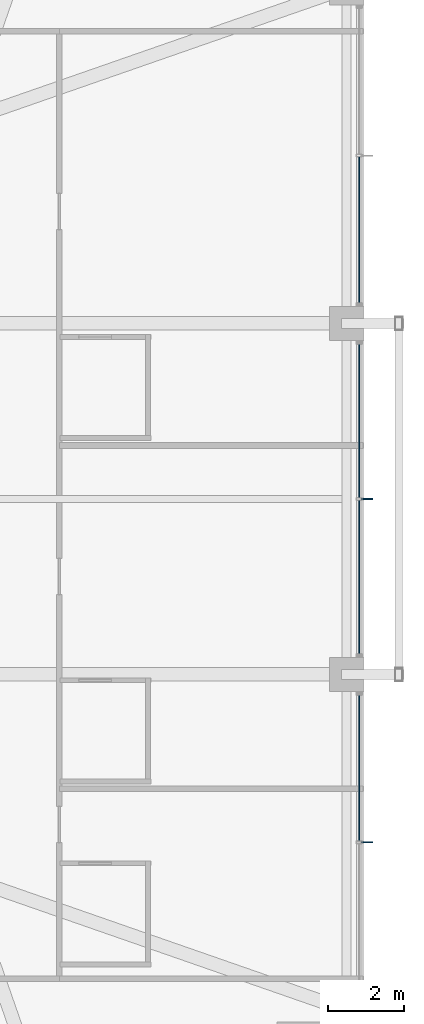
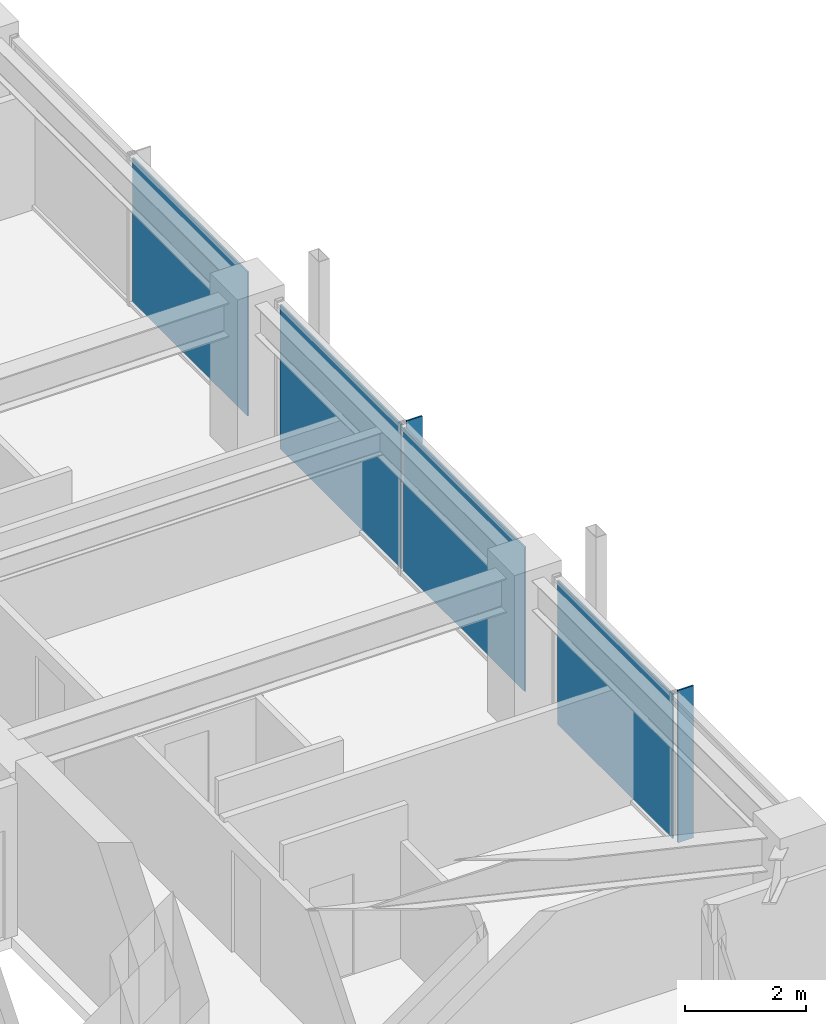
# One storey, part 28 of 37: 6 plates, 3 elements without a shape of their own.
"""IFC4 building model written with IfcOpenShell, lengths in metres."""

from ifc_helpers import new_model, si_unit, direction, frame, origin, origin_2d, place, context, subcontext, project, spatial, rectangle, extrude, material, layer, layer_set, type_object, element, aggregate, save


model = new_model("IFC4")

# Units and contexts
model_context = context("Model", 3, precision=1e-05, world=origin(), true_north=direction((0.0, 1.0)))
body_context = subcontext(model_context, "Body", "Model", "MODEL_VIEW")
ifc_project = project(units=[si_unit("LENGTHUNIT", "METRE"), si_unit("AREAUNIT", "SQUARE_METRE"), si_unit("VOLUMEUNIT", "CUBIC_METRE"), si_unit("PLANEANGLEUNIT", "RADIAN"), si_unit("MASSUNIT", "GRAM", prefix="KILO")], contexts=[model_context])

# Site, building, storey
site_placement = place(None, origin())
site = spatial("IfcSite", under=ifc_project, at=site_placement, CompositionType="ELEMENT")
building_placement = place(site_placement, origin())
building = spatial("IfcBuilding", under=site, at=building_placement, Name="Kolvaren Belvedere", CompositionType="ELEMENT")
storey_placement = place(building_placement, frame((0.0, 0.0, 173.39990234375)))
storey = spatial("IfcBuildingStorey", under=building, at=storey_placement, Name="L50", CompositionType="ELEMENT", Elevation=173.39990234375)

# Curtain wall, plate
ifc_material_1 = material(Name="Anodised pale-metal aluminium AA 6063-T6", Category="aluminium")
curtain_wall_type = type_object("IfcCurtainWallType", Name="CW-Z5-HIGH", PredefinedType="NOTDEFINED", material=ifc_material_1)
curtain_wall_1_placement = place(storey_placement, origin())
curtain_wall_1 = element("IfcCurtainWall", 1, at=curtain_wall_1_placement, inside=storey, type_object=curtain_wall_type, Name="L50 Unitised Curtain Wall FCW-L50-E-B1", PredefinedType="NOTDEFINED")
ifc_material_2 = material(Name="Low-iron triple insulated glass", Category="glass")
ifc_layer_1 = layer(ifc_material_2, 0.028076171875)
ifc_layer_set_1 = layer_set([ifc_layer_1], Name="Low-iron triple insulated glass")
plate_type_1 = type_object("IfcPlateType", Name="CW-PNL-VIS28", PredefinedType="CURTAIN_PANEL", material=ifc_layer_set_1)
plate_1_placement = place(storey_placement, frame((20.280029296875, 7.052490234375, 0.080078125), z_axis=(0.0, 0.0, 1.0), x_axis=(0.0, -1.0, 0.0)))
plate_1 = element("IfcPlate", 2, at=plate_1_placement, type_object=plate_type_1, Name="FCW-L50-E-B1 Vision Glazing Panel 2", PredefinedType="CURTAIN_PANEL", context=body_context, shape_type="SweptSolid", body=[
    extrude(rectangle(XDim=3.81494140625, YDim=0.028076171875, at=origin_2d()), origin(), (0.0, 0.0, 1.0), 2.919921875),
])
aggregate(curtain_wall_1, [plate_1])

# Curtain wall, plates
curtain_wall_2_placement = place(storey_placement, origin())
curtain_wall_2 = element("IfcCurtainWall", 3, at=curtain_wall_2_placement, inside=storey, type_object=curtain_wall_type, Name="L50 Unitised Curtain Wall FCW-L50-E-B2", PredefinedType="NOTDEFINED")
plate_2_placement = place(storey_placement, frame((20.280029296875, 2.047607421875, 0.080078125), z_axis=(0.0, 0.0, 1.0), x_axis=(0.0, -1.0, 0.0)))
plate_2 = element("IfcPlate", 4, at=plate_2_placement, type_object=plate_type_1, Name="FCW-L50-E-B2 Vision Glazing Panel 1", PredefinedType="CURTAIN_PANEL", context=body_context, shape_type="SweptSolid", body=[
    extrude(rectangle(XDim=4.014892578125, YDim=0.028076171875, at=origin_2d()), origin(), (0.0, 0.0, 1.0), 2.919921875),
])
plate_3_placement = place(storey_placement, frame((20.280029296875, -2.047607421875, 0.080078125), z_axis=(0.0, 0.0, 1.0), x_axis=(0.0, -1.0, 0.0)))
plate_3 = element("IfcPlate", 5, at=plate_3_placement, type_object=plate_type_1, Name="FCW-L50-E-B2 Vision Glazing Panel 2", PredefinedType="CURTAIN_PANEL", context=body_context, shape_type="SweptSolid", body=[
    extrude(rectangle(XDim=4.014892578125, YDim=0.028076171875, at=origin_2d()), origin(), (0.0, 0.0, 1.0), 2.919921875),
])
aggregate(curtain_wall_2, [plate_2, plate_3])

# Curtain wall, plate
curtain_wall_3_placement = place(storey_placement, origin())
curtain_wall_3 = element("IfcCurtainWall", 6, at=curtain_wall_3_placement, inside=storey, type_object=curtain_wall_type, Name="L50 Unitised Curtain Wall FCW-L50-E-B3", PredefinedType="NOTDEFINED")
plate_4_placement = place(storey_placement, frame((20.280029296875, -7.052490234375, 0.080078125), z_axis=(0.0, 0.0, 1.0), x_axis=(0.0, -1.0, 0.0)))
plate_4 = element("IfcPlate", 7, at=plate_4_placement, type_object=plate_type_1, Name="FCW-L50-E-B3 Vision Glazing Panel 1", PredefinedType="CURTAIN_PANEL", context=body_context, shape_type="SweptSolid", body=[
    extrude(rectangle(XDim=3.81494140625, YDim=0.028076171875, at=origin_2d()), origin(), (0.0, 0.0, 1.0), 2.919921875),
])
aggregate(curtain_wall_3, [plate_4])

# Plates
ifc_material_3 = material(Name="Anodised pale-metal aluminium AA 6063-T6", Category="aluminium")
ifc_layer_2 = layer(ifc_material_3, 0.030029296875)
ifc_layer_set_2 = layer_set([ifc_layer_2], Name="Anodised pale-metal aluminium AA 6063-T6")
plate_type_2 = type_object("IfcPlateType", Name="FIN-VERT-300", PredefinedType="USERDEFINED", material=ifc_layer_set_2)
for number, where, z_axis, x_axis, name in (
    (8, (20.489990234375, 0.0, 0.0), (0.0, 0.0, 1.0), (1.0, 0.0, 0.0), "L50 Pale-Metal Vertical Shading Fin FCW-L50-E-B2-1"),
    (9, (20.489990234375, -9.0, 0.0), (0.0, 0.0, 1.0), (1.0, 0.0, 0.0), "L50 Pale-Metal Vertical Shading Fin FCW-L50-E-B3-1"),
):
    element("IfcPlate", number, at=place(storey_placement, frame(where, z_axis=z_axis, x_axis=x_axis)), inside=storey, type_object=plate_type_2, Name=name, ObjectType="VERTICAL FIN", PredefinedType="USERDEFINED", context=body_context, shape_type="SweptSolid", body=[
        extrude(rectangle(XDim=0.300048828125, YDim=0.030029296875, at=origin_2d()), origin(), (0.0, 0.0, 1.0), 3.080078125),
    ])

save(model, "model.ifc")
